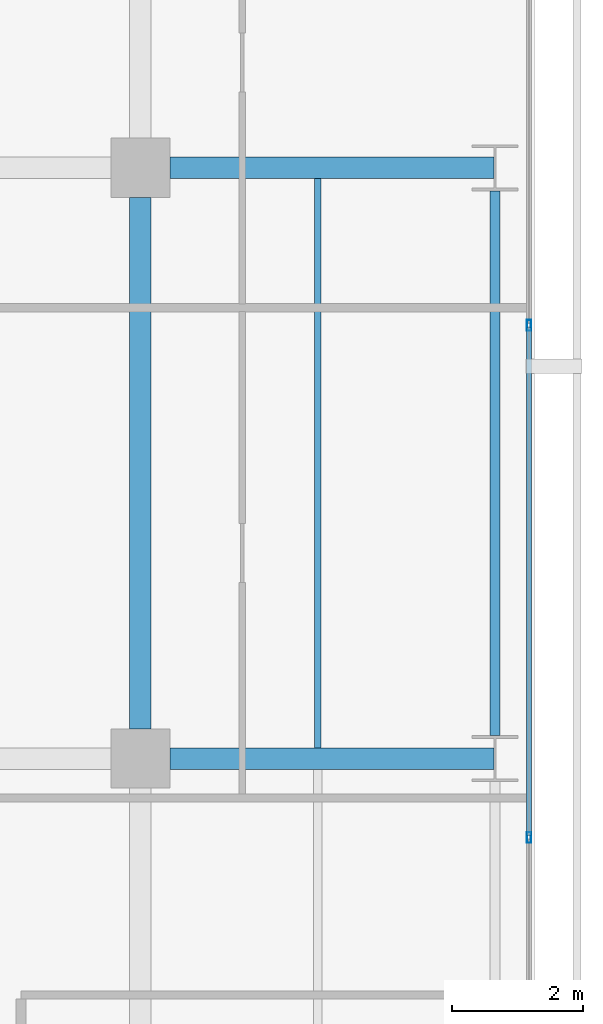
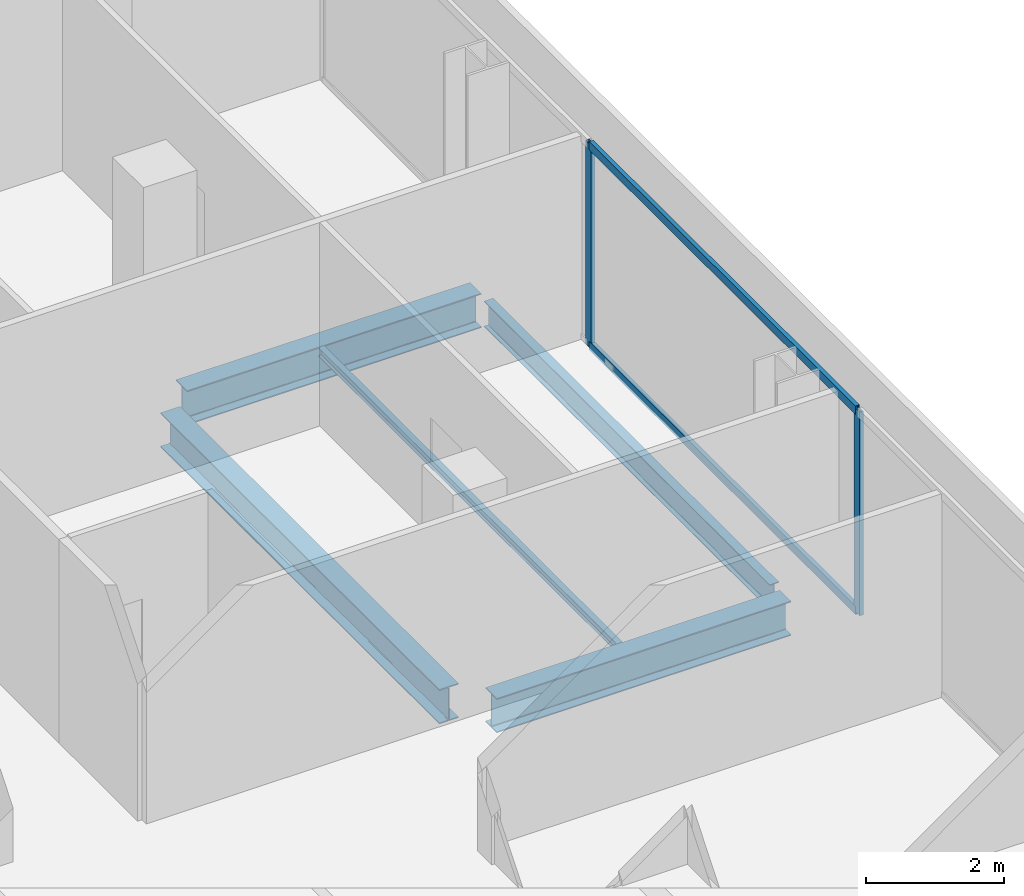
# One storey, part 28 of 40: 5 beams, 4 members, 1 element without a shape of its own.
"""IFC4 building model written with IfcOpenShell, lengths in metres."""

from ifc_helpers import new_model, si_unit, direction, frame, origin, origin_2d, place, context, subcontext, project, spatial, hollow_rectangle, i_section, extrude, material, layer, layer_set, material_profile, profile_set, type_object, element, aggregate, save


model = new_model("IFC4")

# Units and contexts
model_context = context("Model", 3, precision=1e-05, world=origin(), true_north=direction((0.0, 1.0)))
body_context = subcontext(model_context, "Body", "Model", "MODEL_VIEW")
ifc_project = project(units=[si_unit("LENGTHUNIT", "METRE"), si_unit("AREAUNIT", "SQUARE_METRE"), si_unit("VOLUMEUNIT", "CUBIC_METRE"), si_unit("PLANEANGLEUNIT", "RADIAN"), si_unit("MASSUNIT", "GRAM", prefix="KILO")], contexts=[model_context])

# Site, building, storey
site_placement = place(None, origin())
site = spatial("IfcSite", under=ifc_project, at=site_placement, CompositionType="ELEMENT")
building_placement = place(site_placement, origin())
building = spatial("IfcBuilding", under=site, at=building_placement, Name="Maruvema Waterfront Hotel and Observation Tower", CompositionType="ELEMENT")
storey_placement = place(building_placement, frame((0.0, 0.0, 103.949951171875)))
storey = spatial("IfcBuildingStorey", under=building, at=storey_placement, Name="L25", CompositionType="ELEMENT", Elevation=103.949951171875)

# Curtain wall, members
ifc_material_1 = material(Name="Anodised bronze aluminium and solar-control low-E IGU", Category="aluminium")
ifc_layer = layer(ifc_material_1, 0.159912109375, Name="Zone 1 Bronze Inner Thermal Curtain Wall System CW-02")
ifc_layer_set = layer_set([ifc_layer], Name="Anodised bronze aluminium and solar-control low-E IGU")
curtain_wall_type = type_object("IfcCurtainWallType", Name="Zone 1 Bronze Inner Thermal Curtain Wall System CW-02", PredefinedType="USERDEFINED", material=ifc_layer_set)
curtain_wall_placement = place(storey_placement, origin())
curtain_wall = element("IfcCurtainWall", 1, at=curtain_wall_placement, inside=storey, type_object=curtain_wall_type, Name="L25 Curtain Wall CW-L25-E", ObjectType="UNITISED CURTAIN WALL", PredefinedType="USERDEFINED")
ifc_material_2 = material(Name="Anodised architectural bronze aluminium", Category="aluminium")
ifc_material_profile_1 = material_profile(ifc_material_2, hollow_rectangle(XDim=0.070068359375, YDim=0.14990234375, WallThickness=0.00390625, at=origin_2d()), Name="ALU-T70x150")
ifc_profile_set_1 = profile_set([ifc_material_profile_1], Name="Anodised architectural bronze aluminium")
member_type_1 = type_object("IfcMemberType", Name="Curtain Wall Horizontal Transom ALU-T70x150", PredefinedType="USERDEFINED", material=ifc_profile_set_1)
member_1_placement = place(storey_placement, frame((64.719970703125, 34.830078125, 0.030029296875), z_axis=(0.0, 1.0, 0.0), x_axis=(-1.0, 0.0, 0.0)))
member_1 = element("IfcMember", 2, at=member_1_placement, type_object=member_type_1, Name="CW-02 transom 5.1", ObjectType="TRANSOM", PredefinedType="USERDEFINED", context=body_context, shape_type="SweptSolid", body=[
    extrude(hollow_rectangle(XDim=0.070068359375, YDim=0.14990234375, WallThickness=0.00390625, at=origin_2d()), origin(), (0.0, 0.0, 1.0), 7.739990234375),
])
member_2_placement = place(storey_placement, frame((64.719970703125, 34.830078125, 3.580078125), z_axis=(0.0, 1.0, 0.0), x_axis=(-1.0, 0.0, 0.0)))
member_2 = element("IfcMember", 3, at=member_2_placement, type_object=member_type_1, Name="CW-02 transom 5.2", ObjectType="TRANSOM", PredefinedType="USERDEFINED", context=body_context, shape_type="SweptSolid", body=[
    extrude(hollow_rectangle(XDim=0.070068359375, YDim=0.14990234375, WallThickness=0.00390625, at=origin_2d()), origin(), (0.0, 0.0, 1.0), 7.739990234375),
])
ifc_material_3 = material(Name="Anodised architectural bronze aluminium", Category="aluminium")
ifc_material_profile_2 = material_profile(ifc_material_3, hollow_rectangle(XDim=0.06494140625, YDim=0.1650390625, WallThickness=0.00390625, at=origin_2d()), Name="ALU-M65x165")
ifc_profile_set_2 = profile_set([ifc_material_profile_2], Name="Anodised architectural bronze aluminium")
member_type_2 = type_object("IfcMemberType", Name="Curtain Wall Primary Mullion ALU-M65x165", PredefinedType="MULLION", material=ifc_profile_set_2)
member_3_placement = place(storey_placement, frame((64.719970703125, 34.800048828125, 0.0), z_axis=(0.0, 0.0, 1.0), x_axis=(-1.0, 0.0, 0.0)))
member_3 = element("IfcMember", 4, at=member_3_placement, type_object=member_type_2, Name="CW-02 mullion 5", PredefinedType="MULLION", context=body_context, shape_type="SweptSolid", body=[
    extrude(hollow_rectangle(XDim=0.06494140625, YDim=0.1650390625, WallThickness=0.00390625, at=origin_2d()), origin(), (0.0, 0.0, 1.0), 3.610107421875),
])
member_4_placement = place(storey_placement, frame((64.719970703125, 42.60009765625, 0.0), z_axis=(0.0, 0.0, 1.0), x_axis=(-1.0, 0.0, 0.0)))
member_4 = element("IfcMember", 5, at=member_4_placement, type_object=member_type_2, Name="CW-02 mullion 6", PredefinedType="MULLION", context=body_context, shape_type="SweptSolid", body=[
    extrude(hollow_rectangle(XDim=0.06494140625, YDim=0.1650390625, WallThickness=0.00390625, at=origin_2d()), origin(), (0.0, 0.0, 1.0), 3.610107421875),
])
aggregate(curtain_wall, [member_3, member_4, member_1, member_2])

# Beams
ifc_material_4 = material(Name="Steel ASTM A572 Grade 50", Category="steel")
ifc_material_profile_3 = material_profile(ifc_material_4, i_section(OverallWidth=0.153076171875, OverallDepth=0.455078125, WebThickness=0.008056640625, FlangeThickness=0.01318359375, FilletRadius=0.014892578125, at=origin_2d()), Name="W460x60.0")
ifc_profile_set_3 = profile_set([ifc_material_profile_3], Name="Steel ASTM A572 Grade 50")
beam_type_1 = type_object("IfcBeamType", Name="Perimeter Spandrel Beam W460x60.0", PredefinedType="SPANDREL", material=ifc_profile_set_3)
beam_1_placement = place(storey_placement, frame((64.199951171875, 36.35009765625, -0.467529296875), z_axis=(0.0, 1.0, 0.0), x_axis=(-1.0, 0.0, 0.0)))
element("IfcBeam", 6, at=beam_1_placement, inside=storey, type_object=beam_type_1, Name="L25 Floor Girder NS-36", PredefinedType="SPANDREL", context=body_context, shape_type="SweptSolid", body=[
    extrude(i_section(OverallWidth=0.153076171875, OverallDepth=0.455078125, WebThickness=0.008056640625, FlangeThickness=0.01318359375, FilletRadius=0.014892578125, at=origin_2d()), origin(), (0.0, 0.0, 1.0), 8.2998046875),
])
ifc_material_5 = material(Name="Steel ASTM A572 Grade 50", Category="steel")
ifc_material_profile_4 = material_profile(ifc_material_5, i_section(OverallWidth=0.323974609375, OverallDepth=0.611083984375, WebThickness=0.0126953125, FlangeThickness=0.01904296875, FilletRadius=0.01806640625, at=origin_2d()), Name="W610x155.0")
ifc_profile_set_4 = profile_set([ifc_material_profile_4], Name="Steel ASTM A572 Grade 50")
beam_type_2 = type_object("IfcBeamType", Name="Primary Floor Girder W610x155.0", PredefinedType="BEAM", material=ifc_profile_set_4)
for number, where, z_axis, x_axis, name in (
    (7, (59.25, 36.0, -0.54541015625), (1.0, 0.0, 0.0), (0.0, 1.0, 0.0), "L25 Floor Girder EW-31"),
    (8, (59.25, 45.0, -0.54541015625), (1.0, 0.0, 0.0), (0.0, 1.0, 0.0), "L25 Floor Girder EW-35"),
):
    element("IfcBeam", number, at=place(storey_placement, frame(where, z_axis=z_axis, x_axis=x_axis)), inside=storey, type_object=beam_type_2, Name=name, PredefinedType="BEAM", context=body_context, shape_type="SweptSolid", body=[
        extrude(i_section(OverallWidth=0.323974609375, OverallDepth=0.611083984375, WebThickness=0.0126953125, FlangeThickness=0.01904296875, FilletRadius=0.01806640625, at=origin_2d()), origin(), (0.0, 0.0, 1.0), 4.93603515625),
    ])
beam_2_placement = place(storey_placement, frame((58.800048828125, 36.449951171875, -0.54541015625), z_axis=(0.0, 1.0, 0.0), x_axis=(-1.0, 0.0, 0.0)))
element("IfcBeam", 9, at=beam_2_placement, inside=storey, type_object=beam_type_2, Name="L25 Floor Girder NS-31", PredefinedType="BEAM", context=body_context, shape_type="SweptSolid", body=[
    extrude(i_section(OverallWidth=0.323974609375, OverallDepth=0.611083984375, WebThickness=0.0126953125, FlangeThickness=0.01904296875, FilletRadius=0.01806640625, at=origin_2d()), origin(), (0.0, 0.0, 1.0), 8.10009765625),
])
ifc_material_6 = material(Name="Steel ASTM A572 Grade 50", Category="steel")
ifc_material_profile_5 = material_profile(ifc_material_6, i_section(OverallWidth=0.10009765625, OverallDepth=0.153076171875, WebThickness=0.005859375, FlangeThickness=0.007080078125, FilletRadius=0.008056640625, at=origin_2d()), Name="W150x18.0")
ifc_profile_set_5 = profile_set([ifc_material_profile_5], Name="Steel ASTM A572 Grade 50")
beam_type_3 = type_object("IfcBeamType", Name="Secondary Floor Joist W150x18.0", PredefinedType="JOIST", material=ifc_profile_set_5)
beam_3_placement = place(storey_placement, frame((61.5, 36.162109375, -0.31640625), z_axis=(0.0, 1.0, 0.0), x_axis=(-1.0, 0.0, 0.0)))
element("IfcBeam", 10, at=beam_3_placement, inside=storey, type_object=beam_type_3, Name="L25 Secondary Floor Joist JS-24", PredefinedType="JOIST", context=body_context, shape_type="SweptSolid", body=[
    extrude(i_section(OverallWidth=0.10009765625, OverallDepth=0.153076171875, WebThickness=0.005859375, FlangeThickness=0.007080078125, FilletRadius=0.008056640625, at=origin_2d()), origin(), (0.0, 0.0, 1.0), 8.67578125),
])

save(model, "model.ifc")
